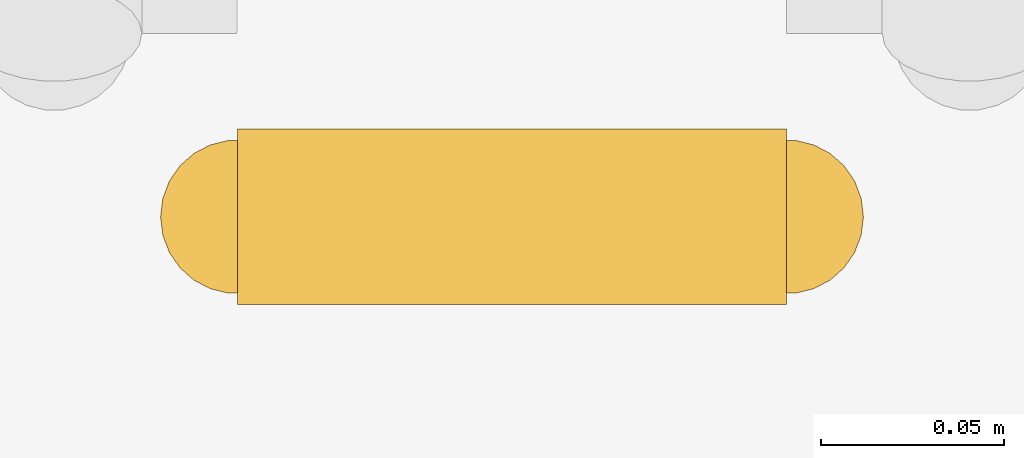
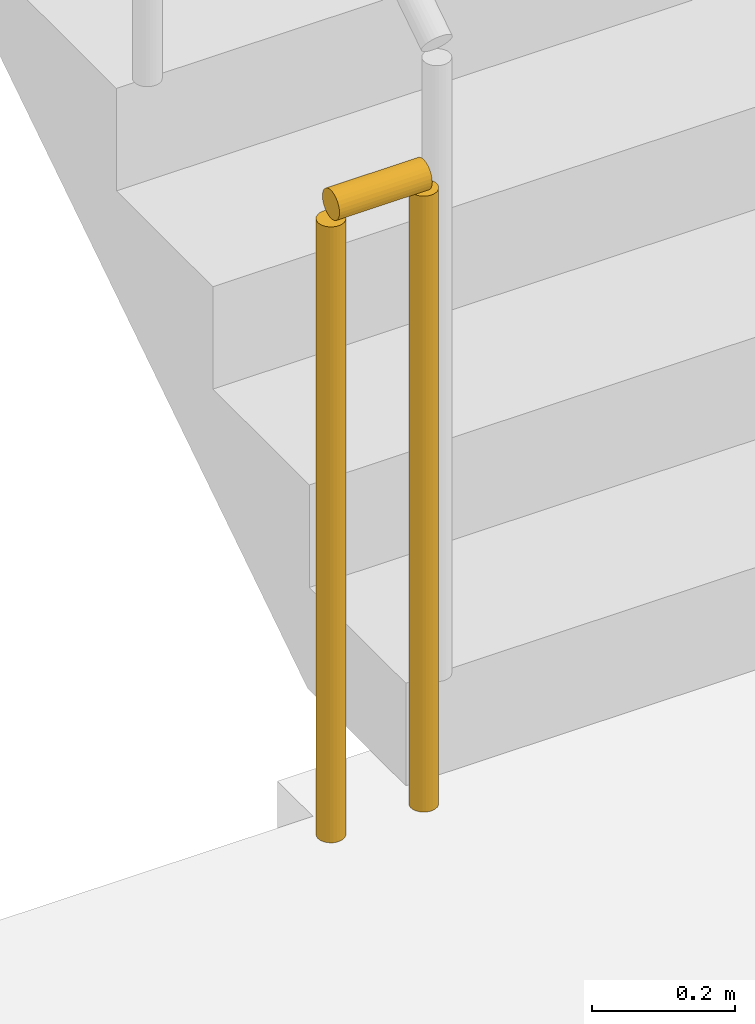
# One storey, part 14 of 19: 1 railing.
"""IFC4 building model written with IfcOpenShell, lengths in metres."""

from ifc_helpers import new_model, si_unit, direction, frame, origin, origin_2d, place, context, subcontext, project, spatial, circle, extrude, material, type_object, element, save


model = new_model("IFC4")

# Units and contexts
model_context = context("Model", 3, precision=1e-05, world=origin(), true_north=direction((0.0, 1.0)))
body_context = subcontext(model_context, "Body", "Model", "MODEL_VIEW")
ifc_project = project(units=[si_unit("LENGTHUNIT", "METRE"), si_unit("AREAUNIT", "SQUARE_METRE"), si_unit("VOLUMEUNIT", "CUBIC_METRE"), si_unit("PLANEANGLEUNIT", "RADIAN"), si_unit("MASSUNIT", "GRAM", prefix="KILO")], contexts=[model_context])

# Site, building, storey
site_placement = place(None, origin())
site = spatial("IfcSite", under=ifc_project, at=site_placement, CompositionType="ELEMENT")
building_placement = place(site_placement, origin())
building = spatial("IfcBuilding", under=site, at=building_placement, Name="Saffron Iwan Residences", CompositionType="ELEMENT")
storey_placement = place(building_placement, frame((0.0, 0.0, 243.0)))
storey = spatial("IfcBuildingStorey", under=building, at=storey_placement, Name="L65", CompositionType="ELEMENT", Elevation=243.0)

# Railing
ifc_material = material(Name="Steel S355", Category="steel")
railing_type = type_object("IfcRailingType", Name="Stair guard 1100", PredefinedType="GUARDRAIL", material=ifc_material)
railing_placement = place(storey_placement, frame((31.25, 67.800048828125, 0.0)))
element("IfcRailing", 1, at=railing_placement, inside=storey, type_object=railing_type, Name="L65 ST-W stair guard 2", PredefinedType="GUARDRAIL", context=body_context, shape_type="SweptSolid", body=[
    extrude(circle(Radius=0.02392578125, at=origin_2d()), frame((0.0, 0.0, 1.076171875), z_axis=(-1.0, 0.0, 0.0), x_axis=(0.0, -1.0, 0.0)), (0.0, 0.0, 1.0), 0.14990234375),
    extrude(circle(Radius=0.02099609375, at=origin_2d()), origin(), (0.0, 0.0, 1.0), 1.052001953125),
    extrude(circle(Radius=0.02099609375, at=origin_2d()), frame((-0.14990234375, 0.0, 0.0)), (0.0, 0.0, 1.0), 1.052001953125),
])

save(model, "model.ifc")
